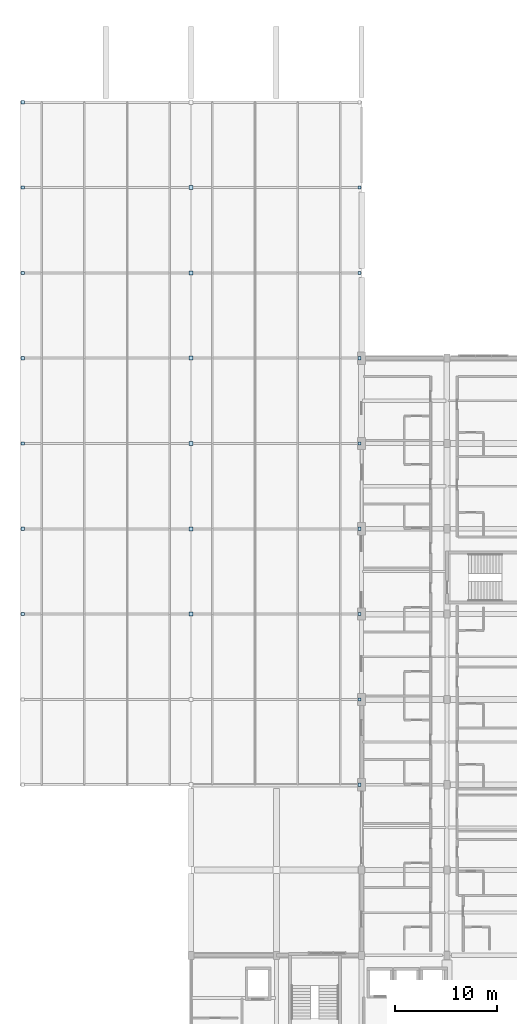
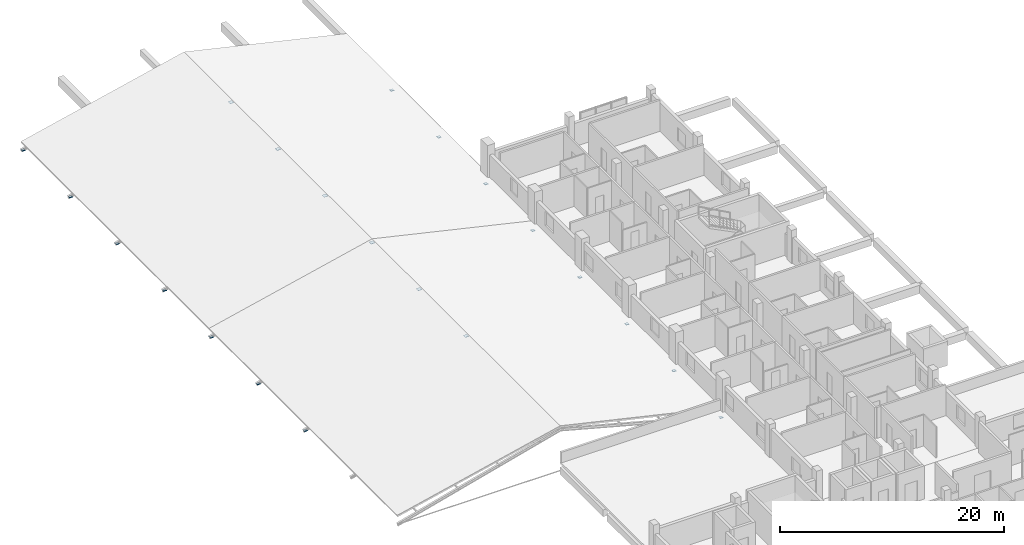
# One storey, part 22 of 42: 21 plates.
"""IFC4 building model written with IfcOpenShell, lengths in metres."""

from ifc_helpers import new_model, si_unit, derived_unit, direction, frame, origin, origin_2d, place, context, subcontext, project, spatial, rectangle, extrude, material, layer, layer_set, type_object, element, save


model = new_model("IFC4")

# Units and contexts
model_context = context("Model", 3, precision=1e-05, world=origin(), true_north=direction((0.0, 1.0)))
body_context = subcontext(model_context, "Body", "Model", "MODEL_VIEW")
ifc_project = project(units=[si_unit("LENGTHUNIT", "METRE"), si_unit("AREAUNIT", "SQUARE_METRE"), si_unit("VOLUMEUNIT", "CUBIC_METRE"), si_unit("PLANEANGLEUNIT", "RADIAN"), si_unit("MASSUNIT", "GRAM", prefix="KILO"), derived_unit("THERMALTRANSMITTANCEUNIT", [(si_unit("POWERUNIT", "WATT"), 1), (si_unit("LENGTHUNIT", "METRE"), -2), (si_unit("THERMODYNAMICTEMPERATUREUNIT", "KELVIN"), -1)])], contexts=[model_context])

# Site, building, storey
site_placement = place(None, origin())
site = spatial("IfcSite", under=ifc_project, at=site_placement, CompositionType="ELEMENT")
building_placement = place(site_placement, origin())
building = spatial("IfcBuilding", under=site, at=building_placement, Name="Barrovel Congress Hotel", CompositionType="ELEMENT")
storey_placement = place(building_placement, frame((0.0, 0.0, 18.300048828125)))
storey = spatial("IfcBuildingStorey", under=building, at=storey_placement, Name="L04", CompositionType="ELEMENT", Elevation=18.300048828125)

# Plates
ifc_material = material(Name="Steel ASTM A992 Grade 50", Category="steel")
ifc_layer_1 = layer(ifc_material, 0.01611328125)
ifc_layer_set_1 = layer_set([ifc_layer_1], Name="Steel ASTM A992 Grade 50")
plate_type_1 = type_object("IfcPlateType", Name="GP-16", PredefinedType="SHEET", material=ifc_layer_set_1)
for number, where, z_axis, x_axis, name in (
    (1, (33.3798828125, 37.800048828125, -0.9580078125), (0.0, 0.0, 1.0), (1.0, 0.0, 0.0), "V1-RAF-EGP:0:E"),
    (2, (33.3798828125, 46.199951171875, -0.9580078125), (0.0, 0.0, 1.0), (1.0, 0.0, 0.0), "V1-RAF-EGP:1:E"),
    (3, (0.219970703125, 54.60009765625, -0.9580078125), (0.0, 0.0, 1.0), (1.0, 0.0, 0.0), "V1-RAF-EGP:2:W"),
    (4, (33.3798828125, 54.60009765625, -0.9580078125), (0.0, 0.0, 1.0), (1.0, 0.0, 0.0), "V1-RAF-EGP:2:E"),
    (5, (0.219970703125, 63.0, -0.9580078125), (0.0, 0.0, 1.0), (1.0, 0.0, 0.0), "V1-RAF-EGP:3:W"),
    (6, (33.3798828125, 63.0, -0.9580078125), (0.0, 0.0, 1.0), (1.0, 0.0, 0.0), "V1-RAF-EGP:3:E"),
    (7, (0.219970703125, 71.39990234375, -0.9580078125), (0.0, 0.0, 1.0), (1.0, 0.0, 0.0), "V1-RAF-EGP:4:W"),
    (8, (33.3798828125, 71.39990234375, -0.9580078125), (0.0, 0.0, 1.0), (1.0, 0.0, 0.0), "V1-RAF-EGP:4:E"),
    (9, (0.219970703125, 79.800048828125, -0.9580078125), (0.0, 0.0, 1.0), (1.0, 0.0, 0.0), "V1-RAF-EGP:5:W"),
    (10, (33.3798828125, 79.800048828125, -0.9580078125), (0.0, 0.0, 1.0), (1.0, 0.0, 0.0), "V1-RAF-EGP:5:E"),
    (11, (0.219970703125, 88.199951171875, -0.9580078125), (0.0, 0.0, 1.0), (1.0, 0.0, 0.0), "V1-RAF-EGP:6:W"),
    (12, (33.3798828125, 88.199951171875, -0.9580078125), (0.0, 0.0, 1.0), (1.0, 0.0, 0.0), "V1-RAF-EGP:6:E"),
    (13, (0.219970703125, 96.60009765625, -0.9580078125), (0.0, 0.0, 1.0), (1.0, 0.0, 0.0), "V1-RAF-EGP:7:W"),
    (14, (33.3798828125, 96.60009765625, -0.9580078125), (0.0, 0.0, 1.0), (1.0, 0.0, 0.0), "V1-RAF-EGP:7:E"),
    (15, (0.219970703125, 105.0, -0.9580078125), (0.0, 0.0, 1.0), (1.0, 0.0, 0.0), "V1-RAF-EGP:8:W"),
):
    element("IfcPlate", number, at=place(storey_placement, frame(where, z_axis=z_axis, x_axis=x_axis)), inside=storey, type_object=plate_type_1, Name=name, PredefinedType="SHEET", context=body_context, shape_type="SweptSolid", body=[
        extrude(rectangle(XDim=0.320068359375, YDim=0.320068359375, at=origin_2d()), origin(), (0.0, 0.0, 1.0), 0.01611328125),
    ])
ifc_layer_2 = layer(ifc_material, 0.02392578125)
ifc_layer_set_2 = layer_set([ifc_layer_2], Name="Steel ASTM A992 Grade 50")
plate_type_2 = type_object("IfcPlateType", Name="GP-24", PredefinedType="SHEET", material=ifc_layer_set_2)
for number, where, z_axis, x_axis, name in (
    (16, (16.800048828125, 54.60009765625, 3.5224609375), (0.0, 0.0, 1.0), (1.0, 0.0, 0.0), "V1-RAF-GP:2"),
    (17, (16.800048828125, 63.0, 3.5224609375), (0.0, 0.0, 1.0), (1.0, 0.0, 0.0), "V1-RAF-GP:3"),
    (18, (16.800048828125, 71.39990234375, 3.5224609375), (0.0, 0.0, 1.0), (1.0, 0.0, 0.0), "V1-RAF-GP:4"),
    (19, (16.800048828125, 79.800048828125, 3.5224609375), (0.0, 0.0, 1.0), (1.0, 0.0, 0.0), "V1-RAF-GP:5"),
    (20, (16.800048828125, 88.199951171875, 3.5224609375), (0.0, 0.0, 1.0), (1.0, 0.0, 0.0), "V1-RAF-GP:6"),
    (21, (16.800048828125, 96.60009765625, 3.5224609375), (0.0, 0.0, 1.0), (1.0, 0.0, 0.0), "V1-RAF-GP:7"),
):
    element("IfcPlate", number, at=place(storey_placement, frame(where, z_axis=z_axis, x_axis=x_axis)), inside=storey, type_object=plate_type_2, Name=name, PredefinedType="SHEET", context=body_context, shape_type="SweptSolid", body=[
        extrude(rectangle(XDim=0.39990234375, YDim=0.39990234375, at=origin_2d()), origin(), (0.0, 0.0, 1.0), 0.02392578125),
    ])

save(model, "model.ifc")
